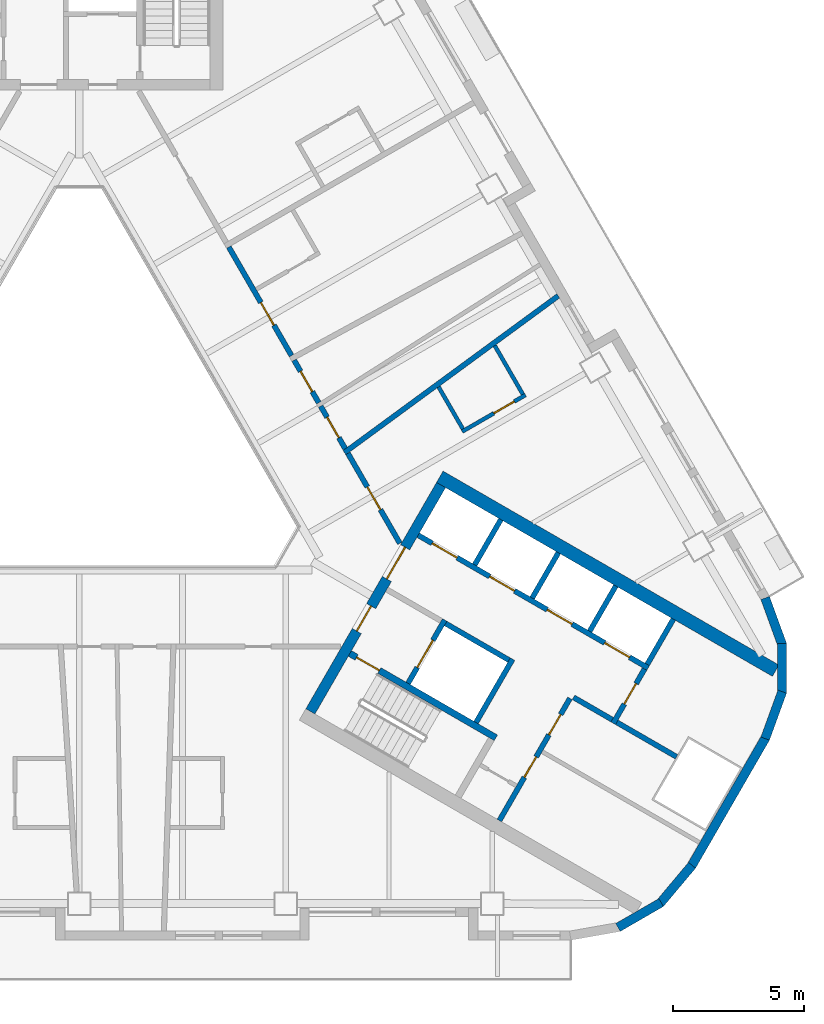
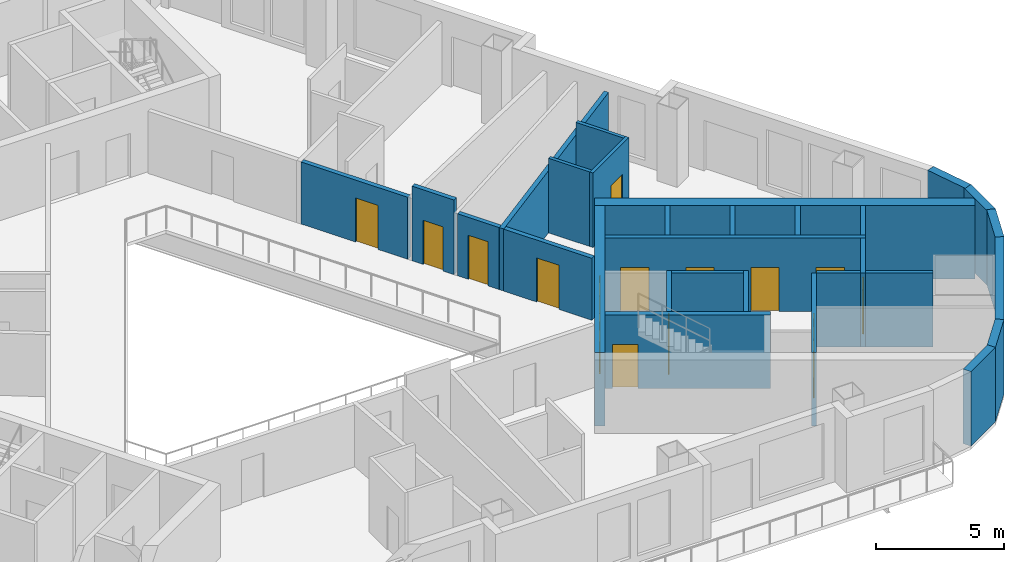
# One storey, part 5 of 14: 29 walls, 16 doors, 16 openings.
"""IFC4 building model written with IfcOpenShell, lengths in metres."""

from ifc_helpers import new_model, si_unit, direction, frame, frame_2d, origin, place, context, subcontext, project, spatial, rectangle, extrude, material, layer, layer_set, type_object, element, fill, save


model = new_model("IFC4")

# Units and contexts
model_context = context("Model", 3, precision=1e-05, world=origin(), true_north=direction((0.0, 1.0)))
body_context = subcontext(model_context, "Body", "Model", "MODEL_VIEW")
ifc_project = project(units=[si_unit("LENGTHUNIT", "METRE"), si_unit("AREAUNIT", "SQUARE_METRE"), si_unit("VOLUMEUNIT", "CUBIC_METRE"), si_unit("PLANEANGLEUNIT", "RADIAN"), si_unit("MASSUNIT", "GRAM", prefix="KILO")], contexts=[model_context])

# Site, building, storey
site_placement = place(None, origin())
site = spatial("IfcSite", under=ifc_project, at=site_placement, CompositionType="ELEMENT")
building_placement = place(site_placement, origin())
building = spatial("IfcBuilding", under=site, at=building_placement, Name="Apuvela Tower Hotel", CompositionType="ELEMENT")
storey_placement = place(building_placement, frame((0.0, 0.0, 109.39990234375)))
storey = spatial("IfcBuildingStorey", under=building, at=storey_placement, Name="L25", CompositionType="ELEMENT", Elevation=109.39990234375)

# Wall, openings, doors
ifc_material_1 = material(Name="Concrete C50/60", Category="concrete")
ifc_layer_1 = layer(ifc_material_1, 0.39990234375)
ifc_layer_set_1 = layer_set([ifc_layer_1], Name="COR-WALL-CORE-400")
wall_type_1 = type_object("IfcWallType", Name="COR-WALL-CORE-400", PredefinedType="SHEAR", material=ifc_layer_set_1)
wall_1_placement = place(storey_placement, frame((8.844970703125, -10.880126953125, 0.0), z_axis=(0.0, 0.0, 1.0), x_axis=(0.500004234368, 0.866022959057, 0.0)))
wall_1 = element("IfcWall", 1, at=wall_1_placement, inside=storey, type_object=wall_type_1, Name="Core wall SE", PredefinedType="SHEAR", context=body_context, shape_type="SweptSolid", body=[
    extrude(rectangle(XDim=10.0, YDim=0.39990234375, at=frame_2d((5.0, 0.0))), origin(), (0.0, 0.0, 1.0), 3.5),
])
opening_1_placement = place(wall_1_placement, frame((3.550048828125, 0.0, 0.0)))
opening_1 = element("IfcOpeningElement", 2, at=opening_1_placement, cuts=wall_1, Name="Opening E-FD", PredefinedType="OPENING", context=body_context, shape_type="SweptSolid", body=[
    extrude(rectangle(XDim=1.10009765625, YDim=2.10009765625, at=frame_2d((0.550048828125, 1.050048828125))), frame((0.0, 0.2099609375, 0.0), z_axis=(0.0, -1.0, 0.0), x_axis=(1.0, 0.0, 0.0)), (0.0, 0.0, 1.0), 0.419921875),
])
opening_2_placement = place(wall_1_placement, frame((5.85009765625, 0.0, 0.0)))
opening_2 = element("IfcOpeningElement", 3, at=opening_2_placement, cuts=wall_1, Name="Opening E-GD", PredefinedType="OPENING", context=body_context, shape_type="SweptSolid", body=[
    extrude(rectangle(XDim=1.39990234375, YDim=2.10009765625, at=frame_2d((0.699951171875, 1.050048828125))), frame((0.0, 0.2099609375, 0.0), z_axis=(0.0, -1.0, 0.0), x_axis=(1.0, 0.0, 0.0)), (0.0, 0.0, 1.0), 0.419921875),
])
ifc_material_2 = material(Name="Steel fire door, powder coated", Category="steel")
door_type_1 = type_object("IfcDoorType", Name="COR-FD-1100", OperationType="NOTDEFINED", PredefinedType="DOOR", material=ifc_material_2)
door_1_placement = place(opening_1_placement, frame((1.10009765625, 0.0, 0.0), z_axis=(0.0, 0.0, 1.0), x_axis=(-1.0, 0.0, 0.0)))
door_1 = element("IfcDoor", 4, at=door_1_placement, inside=storey, type_object=door_type_1, Name="Firefighting lobby door E-FD", OperationType="SINGLE_SWING_LEFT", OverallHeight=2.10009765625, OverallWidth=1.10009765625, PredefinedType="DOOR", context=body_context, shape_type="SweptSolid", body=[
    extrude(rectangle(XDim=1.10009765625, YDim=2.10009765625, at=frame_2d((0.550048828125, 1.050048828125))), frame((0.0, 0.02490234375, 0.0), z_axis=(0.0, -1.0, 0.0), x_axis=(1.0, 0.0, 0.0)), (0.0, 0.0, 1.0), 0.050048828125),
])
fill(opening_1, door_1)
ifc_material_3 = material(Name="Glazed steel fire door", Category="steel")
door_type_2 = type_object("IfcDoorType", Name="COR-GD-1400", OperationType="DOUBLE_DOOR_SINGLE_SWING", PredefinedType="DOOR", material=ifc_material_3)
door_2_placement = place(opening_2_placement, frame((1.39990234375, 0.0, 0.0), z_axis=(0.0, 0.0, 1.0), x_axis=(-1.0, 0.0, 0.0)))
door_2 = element("IfcDoor", 5, at=door_2_placement, inside=storey, type_object=door_type_2, Name="Lift lobby door E-GD", OperationType="DOUBLE_DOOR_SINGLE_SWING", OverallHeight=2.10009765625, OverallWidth=1.39990234375, PredefinedType="DOOR", context=body_context, shape_type="SweptSolid", body=[
    extrude(rectangle(XDim=1.39990234375, YDim=2.10009765625, at=frame_2d((0.699951171875, 1.050048828125))), frame((0.0, 0.02490234375, 0.0), z_axis=(0.0, -1.0, 0.0), x_axis=(1.0, 0.0, 0.0)), (0.0, 0.0, 1.0), 0.050048828125),
])
fill(opening_2, door_2)

# Wall
ifc_layer_2 = layer(ifc_material_1, 0.5)
ifc_layer_set_2 = layer_set([ifc_layer_2], Name="COR-WALL-CORE-500")
wall_type_2 = type_object("IfcWallType", Name="COR-WALL-CORE-500", PredefinedType="SHEAR", material=ifc_layer_set_2)
wall_2_placement = place(storey_placement, frame((13.796630859375, -1.9033203125, 0.0), z_axis=(0.0, 0.0, 1.0), x_axis=(0.866025009528, -0.500000682871, 0.0)))
element("IfcWall", 6, at=wall_2_placement, inside=storey, type_object=wall_type_2, Name="Core wall SE", PredefinedType="SHEAR", context=body_context, shape_type="SweptSolid", body=[
    extrude(rectangle(XDim=14.8369140625, YDim=0.5, at=frame_2d((7.41845703125, 0.0))), origin(), (0.0, 0.0, 1.0), 3.5),
])

# Wall, openings, doors
ifc_material_4 = material(Name="Blockwork 200 mm plastered", Category="masonry")
ifc_layer_3 = layer(ifc_material_4, 0.199951171875)
ifc_layer_set_3 = layer_set([ifc_layer_3], Name="COR-WALL-PART-200")
wall_type_3 = type_object("IfcWallType", Name="COR-WALL-PART-200", PredefinedType="PARTITIONING", material=ifc_layer_set_3)
wall_3_placement = place(storey_placement, frame((16.076171875, -15.05517578125, 0.0), z_axis=(0.0, 0.0, 1.0), x_axis=(0.499995103361, 0.866028230842, 0.0)))
wall_3 = element("IfcWall", 7, at=wall_3_placement, inside=storey, type_object=wall_type_3, Name="Partition SE", PredefinedType="PARTITIONING", context=body_context, shape_type="SweptSolid", body=[
    extrude(rectangle(XDim=5.39990234375, YDim=0.199951171875, at=frame_2d((2.699951171875, 0.0))), origin(), (0.0, 0.0, 1.0), 3.5),
])
opening_3_placement = place(wall_3_placement, frame((1.91259765625, 0.0, 0.0)))
opening_3 = element("IfcOpeningElement", 8, at=opening_3_placement, cuts=wall_3, Name="Opening E-RS1", PredefinedType="OPENING", context=body_context, shape_type="SweptSolid", body=[
    extrude(rectangle(XDim=0.89990234375, YDim=2.10009765625, at=frame_2d((0.449951171875, 1.050048828125))), frame((0.0, 0.10986328125, 0.0), z_axis=(0.0, -1.0, 0.0), x_axis=(1.0, 0.0, 0.0)), (0.0, 0.0, 1.0), 0.219970703125),
])
opening_4_placement = place(wall_3_placement, frame((3.78759765625, 0.0, 0.0)))
opening_4 = element("IfcOpeningElement", 9, at=opening_4_placement, cuts=wall_3, Name="Opening E-RS2", PredefinedType="OPENING", context=body_context, shape_type="SweptSolid", body=[
    extrude(rectangle(XDim=0.89990234375, YDim=2.10009765625, at=frame_2d((0.449951171875, 1.050048828125))), frame((0.0, 0.10986328125, 0.0), z_axis=(0.0, -1.0, 0.0), x_axis=(1.0, 0.0, 0.0)), (0.0, 0.0, 1.0), 0.219970703125),
])
door_type_3 = type_object("IfcDoorType", Name="COR-DR-900", OperationType="NOTDEFINED", PredefinedType="DOOR", material=ifc_material_2)
door_3_placement = place(opening_3_placement, frame((0.89990234375, 0.0, 0.0), z_axis=(0.0, 0.0, 1.0), x_axis=(-1.0, 0.0, 0.0)))
door_3 = element("IfcDoor", 10, at=door_3_placement, inside=storey, type_object=door_type_3, Name="Store door E-RS1", OperationType="SINGLE_SWING_LEFT", OverallHeight=2.10009765625, OverallWidth=0.89990234375, PredefinedType="DOOR", context=body_context, shape_type="SweptSolid", body=[
    extrude(rectangle(XDim=0.89990234375, YDim=2.10009765625, at=frame_2d((0.449951171875, 1.050048828125))), frame((0.0, 0.02490234375, 0.0), z_axis=(0.0, -1.0, 0.0), x_axis=(1.0, 0.0, 0.0)), (0.0, 0.0, 1.0), 0.050048828125),
])
fill(opening_3, door_3)
door_4_placement = place(opening_4_placement, frame((0.89990234375, 0.0, 0.0), z_axis=(0.0, 0.0, 1.0), x_axis=(-1.0, 0.0, 0.0)))
door_4 = element("IfcDoor", 11, at=door_4_placement, inside=storey, type_object=door_type_3, Name="Store door E-RS2", OperationType="SINGLE_SWING_LEFT", OverallHeight=2.10009765625, OverallWidth=0.89990234375, PredefinedType="DOOR", context=body_context, shape_type="SweptSolid", body=[
    extrude(rectangle(XDim=0.89990234375, YDim=2.10009765625, at=frame_2d((0.449951171875, 1.050048828125))), frame((0.0, 0.02490234375, 0.0), z_axis=(0.0, -1.0, 0.0), x_axis=(1.0, 0.0, 0.0)), (0.0, 0.0, 1.0), 0.050048828125),
])
fill(opening_4, door_4)

# Wall
ifc_layer_4 = layer(ifc_material_1, 0.199951171875)
ifc_layer_set_4 = layer_set([ifc_layer_4], Name="COR-WALL-SHAFT-200")
wall_type_4 = type_object("IfcWallType", Name="COR-WALL-SHAFT-200", PredefinedType="SHEAR", material=ifc_layer_set_4)
wall_4_placement = place(storey_placement, frame((15.181396484375, -11.305419921875, 0.0), z_axis=(0.0, 0.0, 1.0), x_axis=(0.49994636267, 0.866056369097, 0.0)))
element("IfcWall", 12, at=wall_4_placement, inside=storey, type_object=wall_type_4, Name="Shaft wall SE", PredefinedType="SHEAR", context=body_context, shape_type="SweptSolid", body=[
    extrude(rectangle(XDim=2.800048828125, YDim=0.199951171875, at=frame_2d((1.39990234375, 0.0))), origin(), (0.0, 0.0, 1.0), 3.5),
])

# Wall, opening, door
wall_5_placement = place(storey_placement, frame((12.583251953125, -9.805419921875, 0.0), z_axis=(0.0, 0.0, 1.0), x_axis=(0.49994636267, 0.866056369097, 0.0)))
wall_5 = element("IfcWall", 13, at=wall_5_placement, inside=storey, type_object=wall_type_4, Name="Shaft wall SE", PredefinedType="SHEAR", context=body_context, shape_type="SweptSolid", body=[
    extrude(rectangle(XDim=2.800048828125, YDim=0.199951171875, at=frame_2d((1.39990234375, 0.0))), origin(), (0.0, 0.0, 1.0), 3.5),
])
opening_5_placement = place(wall_5_placement, frame((0.699951171875, 0.0, 0.0)))
opening_5 = element("IfcOpeningElement", 14, at=opening_5_placement, cuts=wall_5, Name="Opening E-LD-FS3", PredefinedType="OPENING", context=body_context, shape_type="SweptSolid", body=[
    extrude(rectangle(XDim=1.199951171875, YDim=2.10009765625, at=frame_2d((0.60009765625, 1.050048828125))), frame((0.0, 0.10986328125, 0.0), z_axis=(0.0, -1.0, 0.0), x_axis=(1.0, 0.0, 0.0)), (0.0, 0.0, 1.0), 0.219970703125),
])
ifc_material_5 = material(Name="Stainless steel lift landing door", Category="steel")
door_type_4 = type_object("IfcDoorType", Name="COR-LD-1200", OperationType="DOUBLE_DOOR_SLIDING", PredefinedType="DOOR", material=ifc_material_5)
door_5_placement = place(opening_5_placement, origin())
door_5 = element("IfcDoor", 15, at=door_5_placement, inside=storey, type_object=door_type_4, Name="Lift landing door E-LD-FS3", OperationType="DOUBLE_DOOR_SLIDING", OverallHeight=2.10009765625, OverallWidth=1.199951171875, PredefinedType="DOOR", context=body_context, shape_type="SweptSolid", body=[
    extrude(rectangle(XDim=1.199951171875, YDim=2.10009765625, at=frame_2d((0.60009765625, 1.050048828125))), frame((0.0, 0.02490234375, 0.0), z_axis=(0.0, -1.0, 0.0), x_axis=(1.0, 0.0, 0.0)), (0.0, 0.0, 1.0), 0.050048828125),
])
fill(opening_5, door_5)

# Wall
wall_6_placement = place(storey_placement, frame((14.019775390625, -7.51708984375, 0.0), z_axis=(0.0, 0.0, 1.0), x_axis=(0.866034573852, -0.49998411664, 0.0)))
element("IfcWall", 16, at=wall_6_placement, inside=storey, type_object=wall_type_4, Name="Shaft wall SE", PredefinedType="SHEAR", context=body_context, shape_type="SweptSolid", body=[
    extrude(rectangle(XDim=2.7998046875, YDim=0.199951171875, at=frame_2d((1.39990234375, 0.0))), origin(), (0.0, 0.0, 1.0), 3.5),
])

# Wall, openings, doors
wall_7_placement = place(storey_placement, frame((12.968017578125, -4.138427734375, 0.0), z_axis=(0.0, 0.0, 1.0), x_axis=(0.866028328073, -0.49999493495, 0.0)))
wall_7 = element("IfcWall", 17, at=wall_7_placement, inside=storey, type_object=wall_type_4, Name="Shaft wall SE", PredefinedType="SHEAR", context=body_context, shape_type="SweptSolid", body=[
    extrude(rectangle(XDim=10.16015625, YDim=0.199951171875, at=frame_2d((5.080078125, 0.0))), origin(), (0.0, 0.0, 1.0), 3.5),
])
opening_6_placement = place(wall_7_placement, frame((0.6201171875, 0.0, 0.0)))
opening_6 = element("IfcOpeningElement", 18, at=opening_6_placement, cuts=wall_7, Name="Opening E-LD-LR1", PredefinedType="OPENING", context=body_context, shape_type="SweptSolid", body=[
    extrude(rectangle(XDim=1.10009765625, YDim=2.10009765625, at=frame_2d((0.550048828125, 1.050048828125))), frame((0.0, 0.10986328125, 0.0), z_axis=(0.0, -1.0, 0.0), x_axis=(1.0, 0.0, 0.0)), (0.0, 0.0, 1.0), 0.219970703125),
])
opening_7_placement = place(wall_7_placement, frame((3.159912109375, 0.0, 0.0)))
opening_7 = element("IfcOpeningElement", 19, at=opening_7_placement, cuts=wall_7, Name="Opening E-LD-LR2", PredefinedType="OPENING", context=body_context, shape_type="SweptSolid", body=[
    extrude(rectangle(XDim=1.10009765625, YDim=2.10009765625, at=frame_2d((0.550048828125, 1.050048828125))), frame((0.0, 0.10986328125, 0.0), z_axis=(0.0, -1.0, 0.0), x_axis=(1.0, 0.0, 0.0)), (0.0, 0.0, 1.0), 0.219970703125),
])
opening_8_placement = place(wall_7_placement, frame((5.699951171875, 0.0, 0.0)))
opening_8 = element("IfcOpeningElement", 20, at=opening_8_placement, cuts=wall_7, Name="Opening E-LD-LR3", PredefinedType="OPENING", context=body_context, shape_type="SweptSolid", body=[
    extrude(rectangle(XDim=1.10009765625, YDim=2.10009765625, at=frame_2d((0.550048828125, 1.050048828125))), frame((0.0, 0.10986328125, 0.0), z_axis=(0.0, -1.0, 0.0), x_axis=(1.0, 0.0, 0.0)), (0.0, 0.0, 1.0), 0.219970703125),
])
opening_9_placement = place(wall_7_placement, frame((8.239990234375, 0.0, 0.0)))
opening_9 = element("IfcOpeningElement", 21, at=opening_9_placement, cuts=wall_7, Name="Opening E-LD-LR4", PredefinedType="OPENING", context=body_context, shape_type="SweptSolid", body=[
    extrude(rectangle(XDim=1.10009765625, YDim=2.10009765625, at=frame_2d((0.550048828125, 1.050048828125))), frame((0.0, 0.10986328125, 0.0), z_axis=(0.0, -1.0, 0.0), x_axis=(1.0, 0.0, 0.0)), (0.0, 0.0, 1.0), 0.219970703125),
])
door_type_5 = type_object("IfcDoorType", Name="COR-LD-1100", OperationType="DOUBLE_DOOR_SLIDING", PredefinedType="DOOR", material=ifc_material_5)
door_6_placement = place(opening_6_placement, origin())
door_6 = element("IfcDoor", 22, at=door_6_placement, inside=storey, type_object=door_type_5, Name="Lift landing door E-LD-LR1", OperationType="DOUBLE_DOOR_SLIDING", OverallHeight=2.10009765625, OverallWidth=1.10009765625, PredefinedType="DOOR", context=body_context, shape_type="SweptSolid", body=[
    extrude(rectangle(XDim=1.10009765625, YDim=2.10009765625, at=frame_2d((0.550048828125, 1.050048828125))), frame((0.0, 0.02490234375, 0.0), z_axis=(0.0, -1.0, 0.0), x_axis=(1.0, 0.0, 0.0)), (0.0, 0.0, 1.0), 0.050048828125),
])
fill(opening_6, door_6)
door_7_placement = place(opening_7_placement, origin())
door_7 = element("IfcDoor", 23, at=door_7_placement, inside=storey, type_object=door_type_5, Name="Lift landing door E-LD-LR2", OperationType="DOUBLE_DOOR_SLIDING", OverallHeight=2.10009765625, OverallWidth=1.10009765625, PredefinedType="DOOR", context=body_context, shape_type="SweptSolid", body=[
    extrude(rectangle(XDim=1.10009765625, YDim=2.10009765625, at=frame_2d((0.550048828125, 1.050048828125))), frame((0.0, 0.02490234375, 0.0), z_axis=(0.0, -1.0, 0.0), x_axis=(1.0, 0.0, 0.0)), (0.0, 0.0, 1.0), 0.050048828125),
])
fill(opening_7, door_7)
door_8_placement = place(opening_8_placement, origin())
door_8 = element("IfcDoor", 24, at=door_8_placement, inside=storey, type_object=door_type_5, Name="Lift landing door E-LD-LR3", OperationType="DOUBLE_DOOR_SLIDING", OverallHeight=2.10009765625, OverallWidth=1.10009765625, PredefinedType="DOOR", context=body_context, shape_type="SweptSolid", body=[
    extrude(rectangle(XDim=1.10009765625, YDim=2.10009765625, at=frame_2d((0.550048828125, 1.050048828125))), frame((0.0, 0.02490234375, 0.0), z_axis=(0.0, -1.0, 0.0), x_axis=(1.0, 0.0, 0.0)), (0.0, 0.0, 1.0), 0.050048828125),
])
fill(opening_8, door_8)
door_9_placement = place(opening_9_placement, origin())
door_9 = element("IfcDoor", 25, at=door_9_placement, inside=storey, type_object=door_type_5, Name="Lift landing door E-LD-LR4", OperationType="DOUBLE_DOOR_SLIDING", OverallHeight=2.10009765625, OverallWidth=1.10009765625, PredefinedType="DOOR", context=body_context, shape_type="SweptSolid", body=[
    extrude(rectangle(XDim=1.10009765625, YDim=2.10009765625, at=frame_2d((0.550048828125, 1.050048828125))), frame((0.0, 0.02490234375, 0.0), z_axis=(0.0, -1.0, 0.0), x_axis=(1.0, 0.0, 0.0)), (0.0, 0.0, 1.0), 0.050048828125),
])
fill(opening_9, door_9)

# Wall, opening, door
wall_8_placement = place(storey_placement, frame((20.430419921875, -11.33349609375, 0.0), z_axis=(0.0, 0.0, 1.0), x_axis=(0.500001309137, 0.866024647952, 0.0)))
wall_8 = element("IfcWall", 26, at=wall_8_placement, inside=storey, type_object=wall_type_4, Name="Shaft wall SE", PredefinedType="SHEAR", context=body_context, shape_type="SweptSolid", body=[
    extrude(rectangle(XDim=2.39990234375, YDim=0.199951171875, at=frame_2d((1.199951171875, 0.0))), origin(), (0.0, 0.0, 1.0), 3.5),
])
opening_10_placement = place(wall_8_placement, frame((0.85009765625, 0.0, 0.0)))
opening_10 = element("IfcOpeningElement", 27, at=opening_10_placement, cuts=wall_8, Name="Opening E-REP", PredefinedType="OPENING", context=body_context, shape_type="SweptSolid", body=[
    extrude(rectangle(XDim=0.89990234375, YDim=2.10009765625, at=frame_2d((0.449951171875, 1.050048828125))), frame((0.0, 0.10986328125, 0.0), z_axis=(0.0, -1.0, 0.0), x_axis=(1.0, 0.0, 0.0)), (0.0, 0.0, 1.0), 0.219970703125),
])
door_10_placement = place(opening_10_placement, frame((0.89990234375, 0.0, 0.0), z_axis=(0.0, 0.0, 1.0), x_axis=(-1.0, 0.0, 0.0)))
door_10 = element("IfcDoor", 28, at=door_10_placement, inside=storey, type_object=door_type_3, Name="Store door E-REP", OperationType="SINGLE_SWING_RIGHT", OverallHeight=2.10009765625, OverallWidth=0.89990234375, PredefinedType="DOOR", context=body_context, shape_type="SweptSolid", body=[
    extrude(rectangle(XDim=0.89990234375, YDim=2.10009765625, at=frame_2d((0.449951171875, 1.050048828125))), frame((0.0, 0.02490234375, 0.0), z_axis=(0.0, -1.0, 0.0), x_axis=(1.0, 0.0, 0.0)), (0.0, 0.0, 1.0), 0.050048828125),
])
fill(opening_10, door_10)

# Walls
wall_9_placement = place(storey_placement, frame((18.912841796875, -10.342041015625, 0.0), z_axis=(0.0, 0.0, 1.0), x_axis=(0.866038183914, -0.499977863513, 0.0)))
element("IfcWall", 29, at=wall_9_placement, inside=storey, type_object=wall_type_4, Name="Shaft wall SE", PredefinedType="SHEAR", context=body_context, shape_type="SweptSolid", body=[
    extrude(rectangle(XDim=1.7099609375, YDim=0.199951171875, at=frame_2d((0.85498046875, 0.0))), origin(), (0.0, 0.0, 1.0), 3.5),
])
for number, where, z_axis, x_axis, name in (
    (30, (15.131103515625, -5.27197265625, 0.0), (0.0, 0.0, 1.0), (0.499972520799, 0.866041268327, 0.0), "Shaft wall SE"),
    (31, (17.330810546875, -6.5419921875, 0.0), (0.0, 0.0, 1.0), (0.499972520799, 0.866041268327, 0.0), "Shaft wall SE"),
    (32, (19.530517578125, -7.81201171875, 0.0), (0.0, 0.0, 1.0), (0.499972520799, 0.866041268327, 0.0), "Shaft wall SE"),
    (33, (21.73046875, -9.081787109375, 0.0), (0.0, 0.0, 1.0), (0.50002537861, 0.866010750942, 0.0), "Shaft wall SE"),
):
    element("IfcWall", number, at=place(storey_placement, frame(where, z_axis=z_axis, x_axis=x_axis)), inside=storey, type_object=wall_type_4, Name=name, PredefinedType="SHEAR", context=body_context, shape_type="SweptSolid", body=[
        extrude(rectangle(XDim=2.0, YDim=0.199951171875, at=frame_2d((1.0, 0.0))), origin(), (0.0, 0.0, 1.0), 3.5),
    ])
wall_10_placement = place(storey_placement, frame((20.56689453125, -11.297119140625, 0.0), z_axis=(0.0, 0.0, 1.0), x_axis=(0.866060851709, -0.499938597367, 0.0)))
element("IfcWall", 34, at=wall_10_placement, inside=storey, type_object=wall_type_4, Name="Shaft wall SE", PredefinedType="SHEAR", context=body_context, shape_type="SweptSolid", body=[
    extrude(rectangle(XDim=2.639892578125, YDim=0.199951171875, at=frame_2d((1.31982421875, 0.0))), origin(), (0.0, 0.0, 1.0), 3.5),
])

# Wall, opening, door
ifc_layer_5 = layer(ifc_material_1, 0.25)
ifc_layer_set_5 = layer_set([ifc_layer_5], Name="COR-WALL-STAIR-250")
wall_type_5 = type_object("IfcWallType", Name="COR-WALL-STAIR-250", PredefinedType="SHEAR", material=ifc_layer_set_5)
wall_11_placement = place(storey_placement, frame((10.355712890625, -8.66357421875, 0.0), z_axis=(0.0, 0.0, 1.0), x_axis=(0.866028629588, -0.499994412703, 0.0)))
wall_11 = element("IfcWall", 35, at=wall_11_placement, inside=storey, type_object=wall_type_5, Name="Stair wall SE", PredefinedType="SHEAR", context=body_context, shape_type="SweptSolid", body=[
    extrude(rectangle(XDim=6.44970703125, YDim=0.25, at=frame_2d((3.224853515625, 0.0))), origin(), (0.0, 0.0, 1.0), 3.5),
])
opening_11_placement = place(wall_11_placement, frame((0.300048828125, 0.0, 0.0)))
opening_11 = element("IfcOpeningElement", 36, at=opening_11_placement, cuts=wall_11, Name="Opening E-SD", PredefinedType="OPENING", context=body_context, shape_type="SweptSolid", body=[
    extrude(rectangle(XDim=1.0, YDim=2.10009765625, at=frame_2d((0.5, 1.050048828125))), frame((0.0, 0.135009765625, 0.0), z_axis=(0.0, -1.0, 0.0), x_axis=(1.0, 0.0, 0.0)), (0.0, 0.0, 1.0), 0.27001953125),
])
door_type_6 = type_object("IfcDoorType", Name="COR-SD-1000", OperationType="NOTDEFINED", PredefinedType="DOOR", material=ifc_material_2)
door_11_placement = place(opening_11_placement, frame((1.0, 0.0, 0.0), z_axis=(0.0, 0.0, 1.0), x_axis=(-1.0, 0.0, 0.0)))
door_11 = element("IfcDoor", 37, at=door_11_placement, inside=storey, type_object=door_type_6, Name="Stair door E-SD", OperationType="SINGLE_SWING_LEFT", OverallHeight=2.10009765625, OverallWidth=1.0, PredefinedType="DOOR", context=body_context, shape_type="SweptSolid", body=[
    extrude(rectangle(XDim=1.0, YDim=2.10009765625, at=frame_2d((0.5, 1.050048828125))), frame((0.0, 0.02490234375, 0.0), z_axis=(0.0, -1.0, 0.0), x_axis=(1.0, 0.0, 0.0)), (0.0, 0.0, 1.0), 0.050048828125),
])
fill(opening_11, door_11)

# Walls
ifc_material_6 = material(Name="Concrete C40/50, dark pigmented precast panel", Category="concrete")
ifc_layer_6 = layer(ifc_material_6, 0.35009765625)
ifc_layer_set_6 = layer_set([ifc_layer_6], Name="ENV-WALL-350")
wall_type_6 = type_object("IfcWallType", Name="ENV-WALL-350", PredefinedType="SOLIDWALL", material=ifc_layer_set_6)
for number, where, z_axis, x_axis, name in (
    (38, (20.609619140625, -19.146728515625, 0.0), (0.0, 0.0, 1.0), (0.866000389056, 0.500043324278, 0.0), "External wall L25-27"),
    (39, (22.21728515625, -18.230712890625, 0.0), (0.0, 0.0, 1.0), (0.642733291068, 0.76609001857, 0.0), "External wall L25-28"),
):
    element("IfcWall", number, at=place(storey_placement, frame(where, z_axis=z_axis, x_axis=x_axis)), inside=storey, type_object=wall_type_6, Name=name, PredefinedType="SOLIDWALL", context=body_context, shape_type="SweptSolid", body=[
        extrude(rectangle(XDim=1.909912109375, YDim=0.35009765625, at=frame_2d((0.955078125, 0.0))), origin(), (0.0, 0.0, 1.0), 3.550048828125),
    ])
wall_12_placement = place(storey_placement, frame((23.427490234375, -16.79248046875, 0.0), z_axis=(0.0, 0.0, 1.0), x_axis=(0.500018773155, 0.866014564827, 0.0)))
element("IfcWall", 40, at=wall_12_placement, inside=storey, type_object=wall_type_6, Name="External wall L25-29", PredefinedType="SOLIDWALL", context=body_context, shape_type="SweptSolid", body=[
    extrude(rectangle(XDim=5.657958984375, YDim=0.35009765625, at=frame_2d((2.8291015625, 0.0))), origin(), (0.0, 0.0, 1.0), 3.550048828125),
])
for number, where, z_axis, x_axis, name in (
    (41, (26.24365234375, -11.920166015625, 0.0), (0.0, 0.0, 1.0), (0.342030395486, 0.939688889242, 0.0), "External wall L25-30"),
    (42, (26.88623046875, -10.18505859375, 0.0), (0.0, 0.0, 1.0), (0.0, 1.0, 0.0), "External wall L25-31"),
    (43, (26.89697265625, -8.334716796875, 0.0), (0.0, 0.0, 1.0), (-0.342030395486, 0.939688889242, 0.0), "External wall L25-32"),
):
    element("IfcWall", number, at=place(storey_placement, frame(where, z_axis=z_axis, x_axis=x_axis)), inside=storey, type_object=wall_type_6, Name=name, PredefinedType="SOLIDWALL", context=body_context, shape_type="SweptSolid", body=[
        extrude(rectangle(XDim=1.91015625, YDim=0.35009765625, at=frame_2d((0.955078125, 0.0))), origin(), (0.0, 0.0, 1.0), 3.550048828125),
    ])
ifc_material_7 = material(Name="Gypsum board partition on twin steel stud", Category="steel")
ifc_layer_7 = layer(ifc_material_7, 0.199951171875)
ifc_layer_set_7 = layer_set([ifc_layer_7], Name="GST-PW1")
wall_type_7 = type_object("IfcWallType", Name="GST-PW1", PredefinedType="PARTITIONING", material=ifc_layer_set_7)
wall_13_placement = place(storey_placement, frame((18.326904296875, 5.01708984375, 0.0), z_axis=(0.0, 0.0, 1.0), x_axis=(-0.806479235934, -0.59126241383, 0.0)))
element("IfcWall", 44, at=wall_13_placement, inside=storey, type_object=wall_type_7, Name="L25 partition 03", PredefinedType="PARTITIONING", context=body_context, shape_type="SweptSolid", body=[
    extrude(rectangle(XDim=10.140380859375, YDim=0.199951171875, at=frame_2d((5.0703125, 0.0))), origin(), (0.0, 0.0, 1.0), 2.960205078125),
])

# Wall, opening, door
ifc_material_8 = material(Name="Gypsum board corridor wall on twin steel stud, acoustic", Category="steel")
ifc_layer_8 = layer(ifc_material_8, 0.199951171875)
ifc_layer_set_8 = layer_set([ifc_layer_8], Name="GST-PW2")
wall_type_8 = type_object("IfcWallType", Name="GST-PW2", PredefinedType="PARTITIONING", material=ifc_layer_set_8)
wall_14_placement = place(storey_placement, frame((10.280517578125, -1.006103515625, 0.0), z_axis=(0.0, 0.0, 1.0), x_axis=(0.499995262016, -0.866028139243, 0.0)))
wall_14 = element("IfcWall", 45, at=wall_14_placement, inside=storey, type_object=wall_type_8, Name="L25 partition 19", PredefinedType="PARTITIONING", context=body_context, shape_type="SweptSolid", body=[
    extrude(rectangle(XDim=3.9765625, YDim=0.199951171875, at=frame_2d((1.98828125, 0.0))), origin(), (0.0, 0.0, 1.0), 2.9501953125),
])
opening_12_placement = place(wall_14_placement, frame((1.48828125, 0.0, 0.0)))
opening_12 = element("IfcOpeningElement", 46, at=opening_12_placement, cuts=wall_14, Name="Opening GD09-08", PredefinedType="OPENING", context=body_context, shape_type="SweptSolid", body=[
    extrude(rectangle(XDim=1.0, YDim=2.10009765625, at=frame_2d((0.5, 1.050048828125))), frame((0.0, 0.10986328125, 0.0), z_axis=(0.0, -1.0, 0.0), x_axis=(1.0, 0.0, 0.0)), (0.0, 0.0, 1.0), 0.219970703125),
])
ifc_material_9 = material(Name="Timber door leaf in steel frame", Category="steel")
door_type_7 = type_object("IfcDoorType", Name="GST-D1", OperationType="NOTDEFINED", PredefinedType="DOOR", material=ifc_material_9)
door_12_placement = place(opening_12_placement, origin())
door_12 = element("IfcDoor", 47, at=door_12_placement, inside=storey, type_object=door_type_7, Name="Door L25-08", OperationType="SINGLE_SWING_LEFT", OverallHeight=2.10009765625, OverallWidth=1.0, PredefinedType="DOOR", context=body_context, shape_type="SweptSolid", body=[
    extrude(rectangle(XDim=1.0, YDim=2.10009765625, at=frame_2d((0.5, 1.050048828125))), frame((0.0, 0.02490234375, 0.0), z_axis=(0.0, -1.0, 0.0), x_axis=(1.0, 0.0, 0.0)), (0.0, 0.0, 1.0), 0.050048828125),
])
fill(opening_12, door_12)

wall_15_placement = place(storey_placement, frame((9.2392578125, 0.797119140625, 0.0), z_axis=(0.0, 0.0, 1.0), x_axis=(0.499992114976, -0.866029956157, 0.0)))
wall_15 = element("IfcWall", 48, at=wall_15_placement, inside=storey, type_object=wall_type_8, Name="L25 partition 24", PredefinedType="PARTITIONING", context=body_context, shape_type="SweptSolid", body=[
    extrude(rectangle(XDim=1.880859375, YDim=0.199951171875, at=frame_2d((0.9404296875, 0.0))), origin(), (0.0, 0.0, 1.0), 2.9501953125),
])
opening_13_placement = place(wall_15_placement, frame((0.490478515625, 0.0, 0.0)))
opening_13 = element("IfcOpeningElement", 49, at=opening_13_placement, cuts=wall_15, Name="Opening GD09-09", PredefinedType="OPENING", context=body_context, shape_type="SweptSolid", body=[
    extrude(rectangle(XDim=0.89990234375, YDim=2.10009765625, at=frame_2d((0.449951171875, 1.050048828125))), frame((0.0, 0.10986328125, 0.0), z_axis=(0.0, -1.0, 0.0), x_axis=(1.0, 0.0, 0.0)), (0.0, 0.0, 1.0), 0.219970703125),
])
door_type_8 = type_object("IfcDoorType", Name="GST-D2", OperationType="NOTDEFINED", PredefinedType="DOOR", material=ifc_material_9)
door_13_placement = place(opening_13_placement, origin())
door_13 = element("IfcDoor", 50, at=door_13_placement, inside=storey, type_object=door_type_8, Name="Door L25-09", OperationType="SINGLE_SWING_LEFT", OverallHeight=2.10009765625, OverallWidth=0.89990234375, PredefinedType="DOOR", context=body_context, shape_type="SweptSolid", body=[
    extrude(rectangle(XDim=0.89990234375, YDim=2.10009765625, at=frame_2d((0.449951171875, 1.050048828125))), frame((0.0, 0.02490234375, 0.0), z_axis=(0.0, -1.0, 0.0), x_axis=(1.0, 0.0, 0.0)), (0.0, 0.0, 1.0), 0.050048828125),
])
fill(opening_13, door_13)

wall_16_placement = place(storey_placement, frame((8.223388671875, 2.556640625, 0.0), z_axis=(0.0, 0.0, 1.0), x_axis=(0.500018191375, -0.866014900734, 0.0)))
wall_16 = element("IfcWall", 51, at=wall_16_placement, inside=storey, type_object=wall_type_8, Name="L25 partition 25", PredefinedType="PARTITIONING", context=body_context, shape_type="SweptSolid", body=[
    extrude(rectangle(XDim=1.8818359375, YDim=0.199951171875, at=frame_2d((0.94091796875, 0.0))), origin(), (0.0, 0.0, 1.0), 3.550048828125),
])
opening_14_placement = place(wall_16_placement, frame((0.49072265625, 0.0, 0.0)))
opening_14 = element("IfcOpeningElement", 52, at=opening_14_placement, cuts=wall_16, Name="Opening GD09-10", PredefinedType="OPENING", context=body_context, shape_type="SweptSolid", body=[
    extrude(rectangle(XDim=0.89990234375, YDim=2.10009765625, at=frame_2d((0.449951171875, 1.050048828125))), frame((0.0, 0.10986328125, 0.0), z_axis=(0.0, -1.0, 0.0), x_axis=(1.0, 0.0, 0.0)), (0.0, 0.0, 1.0), 0.219970703125),
])
door_14_placement = place(opening_14_placement, origin())
door_14 = element("IfcDoor", 53, at=door_14_placement, inside=storey, type_object=door_type_8, Name="Door L25-10", OperationType="SINGLE_SWING_RIGHT", OverallHeight=2.10009765625, OverallWidth=0.89990234375, PredefinedType="DOOR", context=body_context, shape_type="SweptSolid", body=[
    extrude(rectangle(XDim=0.89990234375, YDim=2.10009765625, at=frame_2d((0.449951171875, 1.050048828125))), frame((0.0, 0.02490234375, 0.0), z_axis=(0.0, -1.0, 0.0), x_axis=(1.0, 0.0, 0.0)), (0.0, 0.0, 1.0), 0.050048828125),
])
fill(opening_14, door_14)

wall_17_placement = place(storey_placement, frame((5.724609375, 6.884765625, 0.0), z_axis=(0.0, 0.0, 1.0), x_axis=(0.499986760557, -0.866033047446, 0.0)))
wall_17 = element("IfcWall", 54, at=wall_17_placement, inside=storey, type_object=wall_type_8, Name="L25 partition 26", PredefinedType="PARTITIONING", context=body_context, shape_type="SweptSolid", body=[
    extrude(rectangle(XDim=4.797607421875, YDim=0.199951171875, at=frame_2d((2.39892578125, 0.0))), origin(), (0.0, 0.0, 1.0), 2.9501953125),
])
opening_15_placement = place(wall_17_placement, frame((2.449951171875, 0.0, 0.0)))
opening_15 = element("IfcOpeningElement", 55, at=opening_15_placement, cuts=wall_17, Name="Opening GD09-12", PredefinedType="OPENING", context=body_context, shape_type="SweptSolid", body=[
    extrude(rectangle(XDim=1.0, YDim=2.10009765625, at=frame_2d((0.5, 1.050048828125))), frame((0.0, 0.10986328125, 0.0), z_axis=(0.0, -1.0, 0.0), x_axis=(1.0, 0.0, 0.0)), (0.0, 0.0, 1.0), 0.219970703125),
])
door_15_placement = place(opening_15_placement, origin())
door_15 = element("IfcDoor", 56, at=door_15_placement, inside=storey, type_object=door_type_7, Name="Door L25-12", OperationType="SINGLE_SWING_RIGHT", OverallHeight=2.10009765625, OverallWidth=1.0, PredefinedType="DOOR", context=body_context, shape_type="SweptSolid", body=[
    extrude(rectangle(XDim=1.0, YDim=2.10009765625, at=frame_2d((0.5, 1.050048828125))), frame((0.0, 0.02490234375, 0.0), z_axis=(0.0, -1.0, 0.0), x_axis=(1.0, 0.0, 0.0)), (0.0, 0.0, 1.0), 0.050048828125),
])
fill(opening_15, door_15)

ifc_material_10 = material(Name="Moisture-resistant gypsum board wet wall on steel stud", Category="steel")
ifc_layer_9 = layer(ifc_material_10, 0.14990234375)
ifc_layer_set_9 = layer_set([ifc_layer_9], Name="GST-PW3")
wall_type_9 = type_object("IfcWallType", Name="GST-PW3", PredefinedType="PARTITIONING", material=ifc_layer_set_9)
wall_18_placement = place(storey_placement, frame((14.650390625, -0.175048828125, 0.0), z_axis=(0.0, 0.0, 1.0), x_axis=(0.866034573852, 0.49998411664, 0.0)))
wall_18 = element("IfcWall", 57, at=wall_18_placement, inside=storey, type_object=wall_type_9, Name="L25 partition 20", PredefinedType="PARTITIONING", context=body_context, shape_type="SweptSolid", body=[
    extrude(rectangle(XDim=2.7998046875, YDim=0.14990234375, at=frame_2d((1.39990234375, 0.0))), origin(), (0.0, 0.0, 1.0), 3.550048828125),
])
opening_16_placement = place(wall_18_placement, frame((1.39990234375, 0.0, 0.0)))
opening_16 = element("IfcOpeningElement", 58, at=opening_16_placement, cuts=wall_18, Name="Opening GD09-07", PredefinedType="OPENING", context=body_context, shape_type="SweptSolid", body=[
    extrude(rectangle(XDim=0.89990234375, YDim=2.10009765625, at=frame_2d((0.449951171875, 1.050048828125))), frame((0.0, 0.0849609375, 0.0), z_axis=(0.0, -1.0, 0.0), x_axis=(1.0, 0.0, 0.0)), (0.0, 0.0, 1.0), 0.169921875),
])
door_16_placement = place(opening_16_placement, origin())
door_16 = element("IfcDoor", 59, at=door_16_placement, inside=storey, type_object=door_type_8, Name="Door L25-07", OperationType="SINGLE_SWING_RIGHT", OverallHeight=2.10009765625, OverallWidth=0.89990234375, PredefinedType="DOOR", context=body_context, shape_type="SweptSolid", body=[
    extrude(rectangle(XDim=0.89990234375, YDim=2.10009765625, at=frame_2d((0.449951171875, 1.050048828125))), frame((0.0, 0.02490234375, 0.0), z_axis=(0.0, -1.0, 0.0), x_axis=(1.0, 0.0, 0.0)), (0.0, 0.0, 1.0), 0.050048828125),
])
fill(opening_16, door_16)

# Walls
wall_19_placement = place(storey_placement, frame((16.97265625, 1.25244140625, 0.0), z_axis=(0.0, 0.0, 1.0), x_axis=(-0.499965131781, 0.866045534024, 0.0)))
element("IfcWall", 60, at=wall_19_placement, inside=storey, type_object=wall_type_9, Name="L25 partition 21", PredefinedType="PARTITIONING", context=body_context, shape_type="SweptSolid", body=[
    extrude(rectangle(XDim=2.148193359375, YDim=0.14990234375, at=frame_2d((1.07421875, 0.0))), origin(), (0.0, 0.0, 1.0), 3.550048828125),
])
wall_20_placement = place(storey_placement, frame((14.677734375, -0.072509765625, 0.0), z_axis=(0.0, 0.0, 1.0), x_axis=(-0.499968895414, 0.866043361281, 0.0)))
element("IfcWall", 61, at=wall_20_placement, inside=storey, type_object=wall_type_9, Name="L25 partition 22", PredefinedType="PARTITIONING", context=body_context, shape_type="SweptSolid", body=[
    extrude(rectangle(XDim=1.85791015625, YDim=0.14990234375, at=frame_2d((0.928955078125, 0.0))), origin(), (0.0, 0.0, 1.0), 3.550048828125),
])

save(model, "model.ifc")
